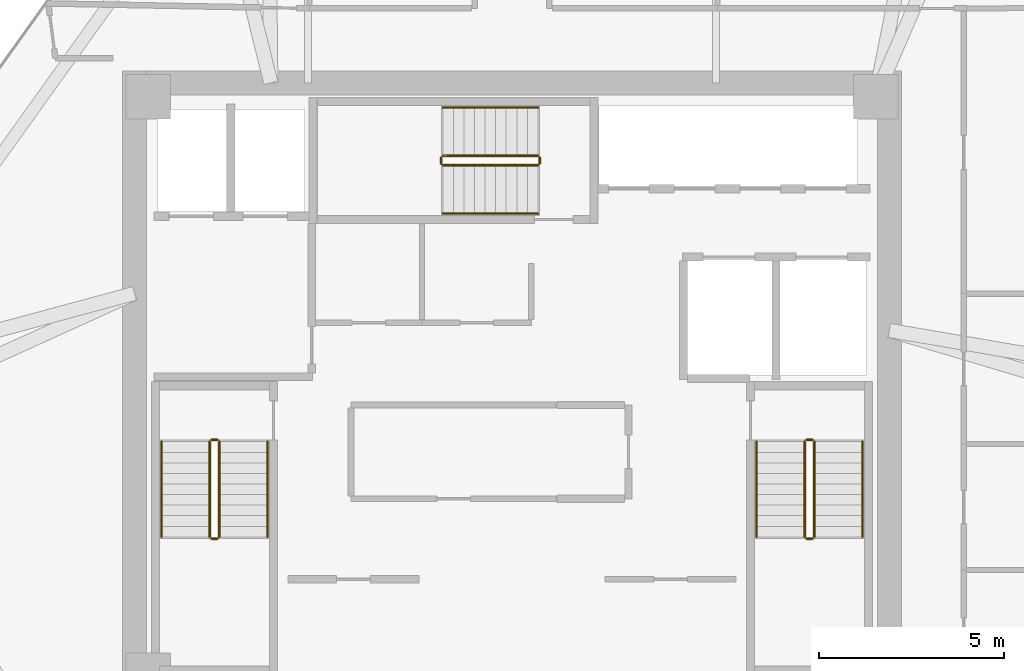
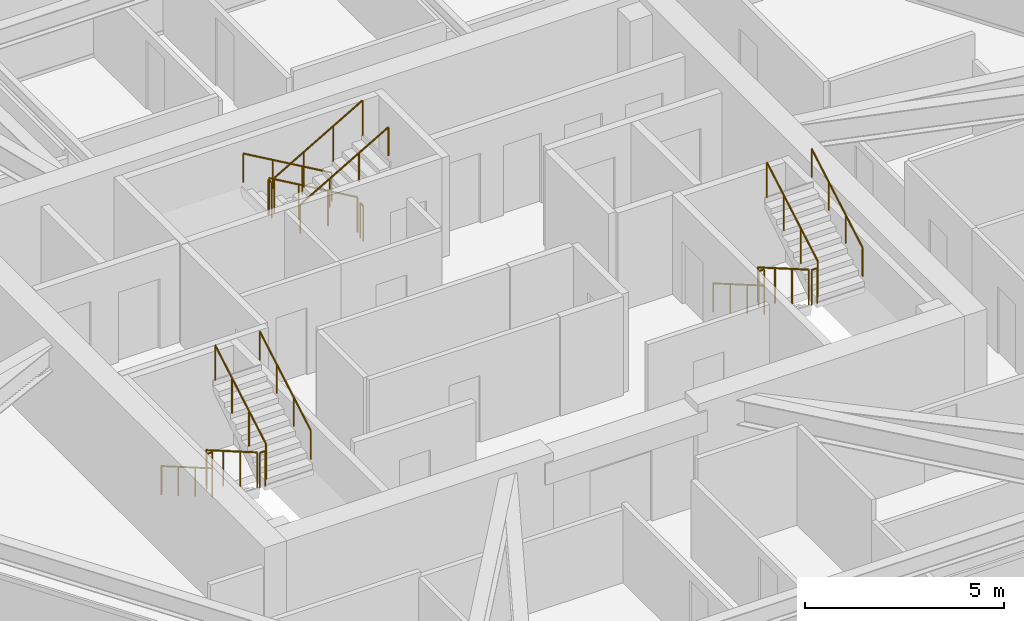
# One storey, part 14 of 14: 18 railings.
"""IFC4 building model written with IfcOpenShell, lengths in metres."""

from ifc_helpers import new_model, si_unit, direction, frame, origin, origin_2d, place, context, subcontext, project, spatial, circle, extrude, material, type_object, element, save


model = new_model("IFC4")

# Units and contexts
model_context = context("Model", 3, precision=1e-05, world=origin(), true_north=direction((0.0, 1.0)))
body_context = subcontext(model_context, "Body", "Model", "MODEL_VIEW")
ifc_project = project(units=[si_unit("LENGTHUNIT", "METRE"), si_unit("AREAUNIT", "SQUARE_METRE"), si_unit("VOLUMEUNIT", "CUBIC_METRE"), si_unit("PLANEANGLEUNIT", "RADIAN"), si_unit("MASSUNIT", "GRAM", prefix="KILO")], contexts=[model_context])

# Site, building, storey
site_placement = place(None, origin())
site = spatial("IfcSite", under=ifc_project, at=site_placement, CompositionType="ELEMENT")
building_placement = place(site_placement, origin())
building = spatial("IfcBuilding", under=site, at=building_placement, Name="Durnholm Broadcast Tower", CompositionType="ELEMENT")
storey_placement = place(building_placement, frame((0.0, 0.0, 187.0)))
storey = spatial("IfcBuildingStorey", under=building, at=storey_placement, Name="L51", CompositionType="ELEMENT", Elevation=187.0)

# Railings
ifc_material_1 = material(Name="Painted Tubular Steel Stair Guardrail", Category="steel")
railing_type_1 = type_object("IfcRailingType", Name="RAIL-ST-GRD", PredefinedType="GUARDRAIL", material=ifc_material_1)
railing_1_placement = place(storey_placement, frame((-8.14990234375, -1.5, 0.1650390625)))
element("IfcRailing", 1, at=railing_1_placement, inside=storey, type_object=railing_type_1, Name="L51 ST-1 stair guard 1", PredefinedType="GUARDRAIL", context=body_context, shape_type="SweptSolid", body=[
    extrude(circle(Radius=0.02392578125, at=origin_2d()), frame((0.0, 0.0, 1.076171875), z_axis=(0.0, -0.865441324677, 0.50101029285), x_axis=(1.0, 0.0, 0.0)), (0.0, 0.0, 1.0), 2.963623046875),
    extrude(circle(Radius=0.02099609375, at=origin_2d()), origin(), (0.0, 0.0, 1.0), 1.052001953125),
    extrude(circle(Radius=0.02099609375, at=origin_2d()), frame((0.0, -0.85498046875, 0.494873046875)), (0.0, 0.0, 1.0), 1.052001953125),
    extrude(circle(Radius=0.02099609375, at=origin_2d()), frame((0.0, -1.7099609375, 0.989990234375)), (0.0, 0.0, 1.0), 1.052001953125),
    extrude(circle(Radius=0.02099609375, at=origin_2d()), frame((0.0, -2.56494140625, 1.48486328125)), (0.0, 0.0, 1.0), 1.052001953125),
])
railing_2_placement = place(storey_placement, frame((-8.10009765625, -4.114990234375, 1.64990234375)))
element("IfcRailing", 2, at=railing_2_placement, inside=storey, type_object=railing_type_1, Name="L51 ST-1 stair guard 2", PredefinedType="GUARDRAIL", context=body_context, shape_type="SweptSolid", body=[
    extrude(circle(Radius=0.02392578125, at=origin_2d()), frame((0.0, 0.0, 1.076171875), z_axis=(1.0, 0.0, 0.0), x_axis=(0.0, 1.0, 0.0)), (0.0, 0.0, 1.0), 0.16015625),
    extrude(circle(Radius=0.02099609375, at=origin_2d()), origin(), (0.0, 0.0, 1.0), 1.052001953125),
    extrude(circle(Radius=0.02099609375, at=origin_2d()), frame((0.16015625, 0.0, 0.0)), (0.0, 0.0, 1.0), 1.052001953125),
])
railing_3_placement = place(storey_placement, frame((-7.889892578125, -4.06494140625, 1.81494140625)))
element("IfcRailing", 3, at=railing_3_placement, inside=storey, type_object=railing_type_1, Name="L51 ST-1 stair guard 3", PredefinedType="GUARDRAIL", context=body_context, shape_type="SweptSolid", body=[
    extrude(circle(Radius=0.02392578125, at=origin_2d()), frame((0.0, 0.0, 1.076171875), z_axis=(0.0, 0.865405606168, 0.501071987656), x_axis=(-1.0, 0.0, 0.0)), (0.0, 0.0, 1.0), 2.9638671875),
    extrude(circle(Radius=0.02099609375, at=origin_2d()), origin(), (0.0, 0.0, 1.0), 1.052001953125),
    extrude(circle(Radius=0.02099609375, at=origin_2d()), frame((0.0, 0.85498046875, 0.4951171875)), (0.0, 0.0, 1.0), 1.052001953125),
    extrude(circle(Radius=0.02099609375, at=origin_2d()), frame((0.0, 1.7099609375, 0.989990234375)), (0.0, 0.0, 1.0), 1.052001953125),
    extrude(circle(Radius=0.02099609375, at=origin_2d()), frame((0.0, 2.56494140625, 1.485107421875)), (0.0, 0.0, 1.0), 1.052001953125),
])
railing_4_placement = place(storey_placement, frame((-8.10009765625, -1.449951171875, 0.0)))
element("IfcRailing", 4, at=railing_4_placement, inside=storey, type_object=railing_type_1, Name="L51 ST-1 stair guard 4", PredefinedType="GUARDRAIL", context=body_context, shape_type="SweptSolid", body=[
    extrude(circle(Radius=0.02392578125, at=origin_2d()), frame((0.0, 0.0, 1.076171875), z_axis=(1.0, 0.0, 0.0), x_axis=(0.0, 1.0, 0.0)), (0.0, 0.0, 1.0), 0.16015625),
    extrude(circle(Radius=0.02099609375, at=origin_2d()), origin(), (0.0, 0.0, 1.0), 1.052001953125),
    extrude(circle(Radius=0.02099609375, at=origin_2d()), frame((0.16015625, 0.0, 0.0)), (0.0, 0.0, 1.0), 1.052001953125),
])
railing_5_placement = place(storey_placement, frame((7.889892578125, -1.5, 0.1650390625)))
element("IfcRailing", 5, at=railing_5_placement, inside=storey, type_object=railing_type_1, Name="L51 ST-2 stair guard 1", PredefinedType="GUARDRAIL", context=body_context, shape_type="SweptSolid", body=[
    extrude(circle(Radius=0.02392578125, at=origin_2d()), frame((0.0, 0.0, 1.076171875), z_axis=(0.0, -0.865441324677, 0.50101029285), x_axis=(1.0, 0.0, 0.0)), (0.0, 0.0, 1.0), 2.963623046875),
    extrude(circle(Radius=0.02099609375, at=origin_2d()), origin(), (0.0, 0.0, 1.0), 1.052001953125),
    extrude(circle(Radius=0.02099609375, at=origin_2d()), frame((0.0, -0.85498046875, 0.494873046875)), (0.0, 0.0, 1.0), 1.052001953125),
    extrude(circle(Radius=0.02099609375, at=origin_2d()), frame((0.0, -1.7099609375, 0.989990234375)), (0.0, 0.0, 1.0), 1.052001953125),
    extrude(circle(Radius=0.02099609375, at=origin_2d()), frame((0.0, -2.56494140625, 1.48486328125)), (0.0, 0.0, 1.0), 1.052001953125),
])
railing_6_placement = place(storey_placement, frame((7.93994140625, -4.114990234375, 1.64990234375)))
element("IfcRailing", 6, at=railing_6_placement, inside=storey, type_object=railing_type_1, Name="L51 ST-2 stair guard 2", PredefinedType="GUARDRAIL", context=body_context, shape_type="SweptSolid", body=[
    extrude(circle(Radius=0.02392578125, at=origin_2d()), frame((0.0, 0.0, 1.076171875), z_axis=(1.0, 0.0, 0.0), x_axis=(0.0, 1.0, 0.0)), (0.0, 0.0, 1.0), 0.16015625),
    extrude(circle(Radius=0.02099609375, at=origin_2d()), origin(), (0.0, 0.0, 1.0), 1.052001953125),
    extrude(circle(Radius=0.02099609375, at=origin_2d()), frame((0.16015625, 0.0, 0.0)), (0.0, 0.0, 1.0), 1.052001953125),
])
railing_7_placement = place(storey_placement, frame((8.14990234375, -4.06494140625, 1.81494140625)))
element("IfcRailing", 7, at=railing_7_placement, inside=storey, type_object=railing_type_1, Name="L51 ST-2 stair guard 3", PredefinedType="GUARDRAIL", context=body_context, shape_type="SweptSolid", body=[
    extrude(circle(Radius=0.02392578125, at=origin_2d()), frame((0.0, 0.0, 1.076171875), z_axis=(0.0, 0.865405606168, 0.501071987656), x_axis=(-1.0, 0.0, 0.0)), (0.0, 0.0, 1.0), 2.9638671875),
    extrude(circle(Radius=0.02099609375, at=origin_2d()), origin(), (0.0, 0.0, 1.0), 1.052001953125),
    extrude(circle(Radius=0.02099609375, at=origin_2d()), frame((0.0, 0.85498046875, 0.4951171875)), (0.0, 0.0, 1.0), 1.052001953125),
    extrude(circle(Radius=0.02099609375, at=origin_2d()), frame((0.0, 1.7099609375, 0.989990234375)), (0.0, 0.0, 1.0), 1.052001953125),
    extrude(circle(Radius=0.02099609375, at=origin_2d()), frame((0.0, 2.56494140625, 1.485107421875)), (0.0, 0.0, 1.0), 1.052001953125),
])
railing_8_placement = place(storey_placement, frame((7.93994140625, -1.449951171875, 0.0)))
element("IfcRailing", 8, at=railing_8_placement, inside=storey, type_object=railing_type_1, Name="L51 ST-2 stair guard 4", PredefinedType="GUARDRAIL", context=body_context, shape_type="SweptSolid", body=[
    extrude(circle(Radius=0.02392578125, at=origin_2d()), frame((0.0, 0.0, 1.076171875), z_axis=(1.0, 0.0, 0.0), x_axis=(0.0, 1.0, 0.0)), (0.0, 0.0, 1.0), 0.16015625),
    extrude(circle(Radius=0.02099609375, at=origin_2d()), origin(), (0.0, 0.0, 1.0), 1.052001953125),
    extrude(circle(Radius=0.02099609375, at=origin_2d()), frame((0.16015625, 0.0, 0.0)), (0.0, 0.0, 1.0), 1.052001953125),
])
railing_9_placement = place(storey_placement, frame((0.699951171875, 6.2099609375, 0.1650390625)))
element("IfcRailing", 9, at=railing_9_placement, inside=storey, type_object=railing_type_1, Name="L51 ST-3 stair guard 1", PredefinedType="GUARDRAIL", context=body_context, shape_type="SweptSolid", body=[
    extrude(circle(Radius=0.02392578125, at=origin_2d()), frame((0.0, 0.0, 1.076171875), z_axis=(-0.865441324677, 0.0, 0.50101029285), x_axis=(0.0, -1.0, 0.0)), (0.0, 0.0, 1.0), 2.963623046875),
    extrude(circle(Radius=0.02099609375, at=origin_2d()), origin(), (0.0, 0.0, 1.0), 1.052001953125),
    extrude(circle(Radius=0.02099609375, at=origin_2d()), frame((-0.85498046875, 0.0, 0.494873046875)), (0.0, 0.0, 1.0), 1.052001953125),
    extrude(circle(Radius=0.02099609375, at=origin_2d()), frame((-1.7099609375, 0.0, 0.989990234375)), (0.0, 0.0, 1.0), 1.052001953125),
    extrude(circle(Radius=0.02099609375, at=origin_2d()), frame((-2.56494140625, 0.0, 1.48486328125)), (0.0, 0.0, 1.0), 1.052001953125),
])
railing_10_placement = place(storey_placement, frame((-1.9150390625, 6.159912109375, 1.64990234375)))
element("IfcRailing", 10, at=railing_10_placement, inside=storey, type_object=railing_type_1, Name="L51 ST-3 stair guard 2", PredefinedType="GUARDRAIL", context=body_context, shape_type="SweptSolid", body=[
    extrude(circle(Radius=0.02392578125, at=origin_2d()), frame((0.0, 0.0, 1.076171875), z_axis=(0.0, -1.0, 0.0), x_axis=(1.0, 0.0, 0.0)), (0.0, 0.0, 1.0), 0.159912109375),
    extrude(circle(Radius=0.02099609375, at=origin_2d()), origin(), (0.0, 0.0, 1.0), 1.052001953125),
    extrude(circle(Radius=0.02099609375, at=origin_2d()), frame((0.0, -0.159912109375, 0.0)), (0.0, 0.0, 1.0), 1.052001953125),
])
railing_11_placement = place(storey_placement, frame((-1.864990234375, 5.949951171875, 1.81494140625)))
element("IfcRailing", 11, at=railing_11_placement, inside=storey, type_object=railing_type_1, Name="L51 ST-3 stair guard 3", PredefinedType="GUARDRAIL", context=body_context, shape_type="SweptSolid", body=[
    extrude(circle(Radius=0.02392578125, at=origin_2d()), frame((0.0, 0.0, 1.076171875), z_axis=(0.865405606168, 0.0, 0.501071987656), x_axis=(0.0, 1.0, 0.0)), (0.0, 0.0, 1.0), 2.9638671875),
    extrude(circle(Radius=0.02099609375, at=origin_2d()), origin(), (0.0, 0.0, 1.0), 1.052001953125),
    extrude(circle(Radius=0.02099609375, at=origin_2d()), frame((0.85498046875, 0.0, 0.4951171875)), (0.0, 0.0, 1.0), 1.052001953125),
    extrude(circle(Radius=0.02099609375, at=origin_2d()), frame((1.7099609375, 0.0, 0.989990234375)), (0.0, 0.0, 1.0), 1.052001953125),
    extrude(circle(Radius=0.02099609375, at=origin_2d()), frame((2.56494140625, 0.0, 1.485107421875)), (0.0, 0.0, 1.0), 1.052001953125),
])
railing_12_placement = place(storey_placement, frame((0.75, 6.159912109375, 0.0)))
element("IfcRailing", 12, at=railing_12_placement, inside=storey, type_object=railing_type_1, Name="L51 ST-3 stair guard 4", PredefinedType="GUARDRAIL", context=body_context, shape_type="SweptSolid", body=[
    extrude(circle(Radius=0.02392578125, at=origin_2d()), frame((0.0, 0.0, 1.076171875), z_axis=(0.0, -1.0, 0.0), x_axis=(1.0, 0.0, 0.0)), (0.0, 0.0, 1.0), 0.159912109375),
    extrude(circle(Radius=0.02099609375, at=origin_2d()), origin(), (0.0, 0.0, 1.0), 1.052001953125),
    extrude(circle(Radius=0.02099609375, at=origin_2d()), frame((0.0, -0.159912109375, 0.0)), (0.0, 0.0, 1.0), 1.052001953125),
])
ifc_material_2 = material(Name="Brushed Stainless Steel Handrail", Category="steel")
railing_type_2 = type_object("IfcRailingType", Name="RAIL-ST-HND", PredefinedType="HANDRAIL", material=ifc_material_2)
railing_13_placement = place(storey_placement, frame((-9.449951171875, -1.5, 0.330078125)))
element("IfcRailing", 13, at=railing_13_placement, inside=storey, type_object=railing_type_2, Name="L51 ST-1 stair handrail 1", PredefinedType="HANDRAIL", context=body_context, shape_type="SweptSolid", body=[
    extrude(circle(Radius=0.02392578125, at=origin_2d()), frame((0.0, 0.0, 0.8759765625), z_axis=(0.0, -0.865441324677, 0.50101029285), x_axis=(1.0, 0.0, 0.0)), (0.0, 0.0, 1.0), 2.963623046875),
    extrude(circle(Radius=0.02099609375, at=origin_2d()), origin(), (0.0, 0.0, 1.0), 0.851806640625),
    extrude(circle(Radius=0.02099609375, at=origin_2d()), frame((0.0, -0.85498046875, 0.494873046875)), (0.0, 0.0, 1.0), 0.851806640625),
    extrude(circle(Radius=0.02099609375, at=origin_2d()), frame((0.0, -1.7099609375, 0.989990234375)), (0.0, 0.0, 1.0), 0.851806640625),
    extrude(circle(Radius=0.02099609375, at=origin_2d()), frame((0.0, -2.56494140625, 1.48486328125)), (0.0, 0.0, 1.0), 0.851806640625),
])
railing_14_placement = place(storey_placement, frame((-6.590087890625, -4.06494140625, 1.97998046875)))
element("IfcRailing", 14, at=railing_14_placement, inside=storey, type_object=railing_type_2, Name="L51 ST-1 stair handrail 2", PredefinedType="HANDRAIL", context=body_context, shape_type="SweptSolid", body=[
    extrude(circle(Radius=0.02392578125, at=origin_2d()), frame((0.0, 0.0, 0.8759765625), z_axis=(0.0, 0.865405606168, 0.501071987656), x_axis=(-1.0, 0.0, 0.0)), (0.0, 0.0, 1.0), 2.9638671875),
    extrude(circle(Radius=0.02099609375, at=origin_2d()), origin(), (0.0, 0.0, 1.0), 0.851806640625),
    extrude(circle(Radius=0.02099609375, at=origin_2d()), frame((0.0, 0.85498046875, 0.4951171875)), (0.0, 0.0, 1.0), 0.851806640625),
    extrude(circle(Radius=0.02099609375, at=origin_2d()), frame((0.0, 1.7099609375, 0.989990234375)), (0.0, 0.0, 1.0), 0.851806640625),
    extrude(circle(Radius=0.02099609375, at=origin_2d()), frame((0.0, 2.56494140625, 1.485107421875)), (0.0, 0.0, 1.0), 0.851806640625),
])
railing_15_placement = place(storey_placement, frame((6.590087890625, -1.5, 0.330078125)))
element("IfcRailing", 15, at=railing_15_placement, inside=storey, type_object=railing_type_2, Name="L51 ST-2 stair handrail 1", PredefinedType="HANDRAIL", context=body_context, shape_type="SweptSolid", body=[
    extrude(circle(Radius=0.02392578125, at=origin_2d()), frame((0.0, 0.0, 0.8759765625), z_axis=(0.0, -0.865441324677, 0.50101029285), x_axis=(1.0, 0.0, 0.0)), (0.0, 0.0, 1.0), 2.963623046875),
    extrude(circle(Radius=0.02099609375, at=origin_2d()), origin(), (0.0, 0.0, 1.0), 0.851806640625),
    extrude(circle(Radius=0.02099609375, at=origin_2d()), frame((0.0, -0.85498046875, 0.494873046875)), (0.0, 0.0, 1.0), 0.851806640625),
    extrude(circle(Radius=0.02099609375, at=origin_2d()), frame((0.0, -1.7099609375, 0.989990234375)), (0.0, 0.0, 1.0), 0.851806640625),
    extrude(circle(Radius=0.02099609375, at=origin_2d()), frame((0.0, -2.56494140625, 1.48486328125)), (0.0, 0.0, 1.0), 0.851806640625),
])
railing_16_placement = place(storey_placement, frame((9.449951171875, -4.06494140625, 1.97998046875)))
element("IfcRailing", 16, at=railing_16_placement, inside=storey, type_object=railing_type_2, Name="L51 ST-2 stair handrail 2", PredefinedType="HANDRAIL", context=body_context, shape_type="SweptSolid", body=[
    extrude(circle(Radius=0.02392578125, at=origin_2d()), frame((0.0, 0.0, 0.8759765625), z_axis=(0.0, 0.865405606168, 0.501071987656), x_axis=(-1.0, 0.0, 0.0)), (0.0, 0.0, 1.0), 2.9638671875),
    extrude(circle(Radius=0.02099609375, at=origin_2d()), origin(), (0.0, 0.0, 1.0), 0.851806640625),
    extrude(circle(Radius=0.02099609375, at=origin_2d()), frame((0.0, 0.85498046875, 0.4951171875)), (0.0, 0.0, 1.0), 0.851806640625),
    extrude(circle(Radius=0.02099609375, at=origin_2d()), frame((0.0, 1.7099609375, 0.989990234375)), (0.0, 0.0, 1.0), 0.851806640625),
    extrude(circle(Radius=0.02099609375, at=origin_2d()), frame((0.0, 2.56494140625, 1.485107421875)), (0.0, 0.0, 1.0), 0.851806640625),
])
railing_17_placement = place(storey_placement, frame((0.699951171875, 7.510009765625, 0.330078125)))
element("IfcRailing", 17, at=railing_17_placement, inside=storey, type_object=railing_type_2, Name="L51 ST-3 stair handrail 1", PredefinedType="HANDRAIL", context=body_context, shape_type="SweptSolid", body=[
    extrude(circle(Radius=0.02392578125, at=origin_2d()), frame((0.0, 0.0, 0.8759765625), z_axis=(-0.865441324677, 0.0, 0.50101029285), x_axis=(0.0, -1.0, 0.0)), (0.0, 0.0, 1.0), 2.963623046875),
    extrude(circle(Radius=0.02099609375, at=origin_2d()), origin(), (0.0, 0.0, 1.0), 0.851806640625),
    extrude(circle(Radius=0.02099609375, at=origin_2d()), frame((-0.85498046875, 0.0, 0.494873046875)), (0.0, 0.0, 1.0), 0.851806640625),
    extrude(circle(Radius=0.02099609375, at=origin_2d()), frame((-1.7099609375, 0.0, 0.989990234375)), (0.0, 0.0, 1.0), 0.851806640625),
    extrude(circle(Radius=0.02099609375, at=origin_2d()), frame((-2.56494140625, 0.0, 1.48486328125)), (0.0, 0.0, 1.0), 0.851806640625),
])
railing_18_placement = place(storey_placement, frame((-1.864990234375, 4.64990234375, 1.97998046875)))
element("IfcRailing", 18, at=railing_18_placement, inside=storey, type_object=railing_type_2, Name="L51 ST-3 stair handrail 2", PredefinedType="HANDRAIL", context=body_context, shape_type="SweptSolid", body=[
    extrude(circle(Radius=0.02392578125, at=origin_2d()), frame((0.0, 0.0, 0.8759765625), z_axis=(0.865405606168, 0.0, 0.501071987656), x_axis=(0.0, 1.0, 0.0)), (0.0, 0.0, 1.0), 2.9638671875),
    extrude(circle(Radius=0.02099609375, at=origin_2d()), origin(), (0.0, 0.0, 1.0), 0.851806640625),
    extrude(circle(Radius=0.02099609375, at=origin_2d()), frame((0.85498046875, 0.0, 0.4951171875)), (0.0, 0.0, 1.0), 0.851806640625),
    extrude(circle(Radius=0.02099609375, at=origin_2d()), frame((1.7099609375, 0.0, 0.989990234375)), (0.0, 0.0, 1.0), 0.851806640625),
    extrude(circle(Radius=0.02099609375, at=origin_2d()), frame((2.56494140625, 0.0, 1.485107421875)), (0.0, 0.0, 1.0), 0.851806640625),
])

save(model, "model.ifc")
